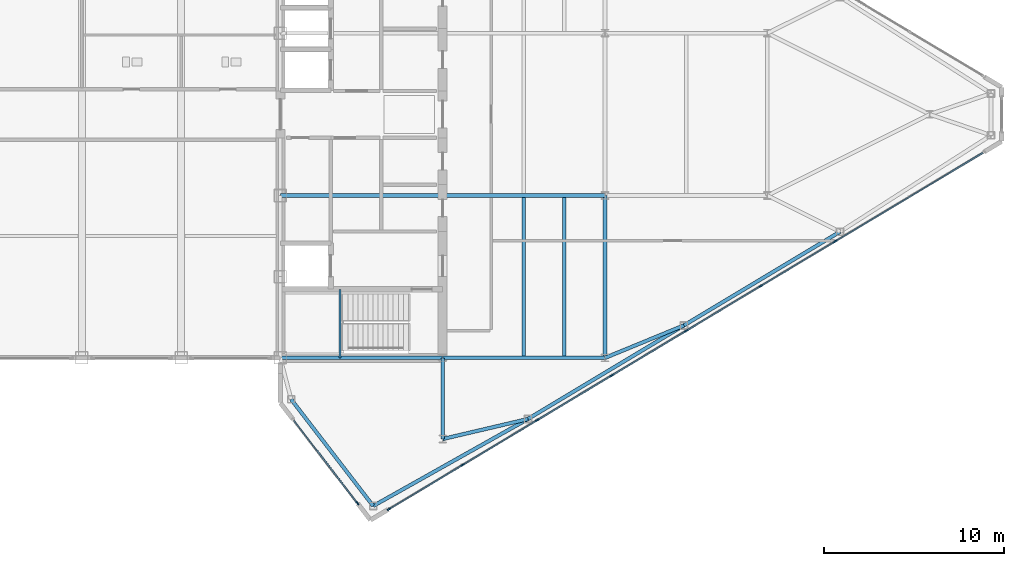
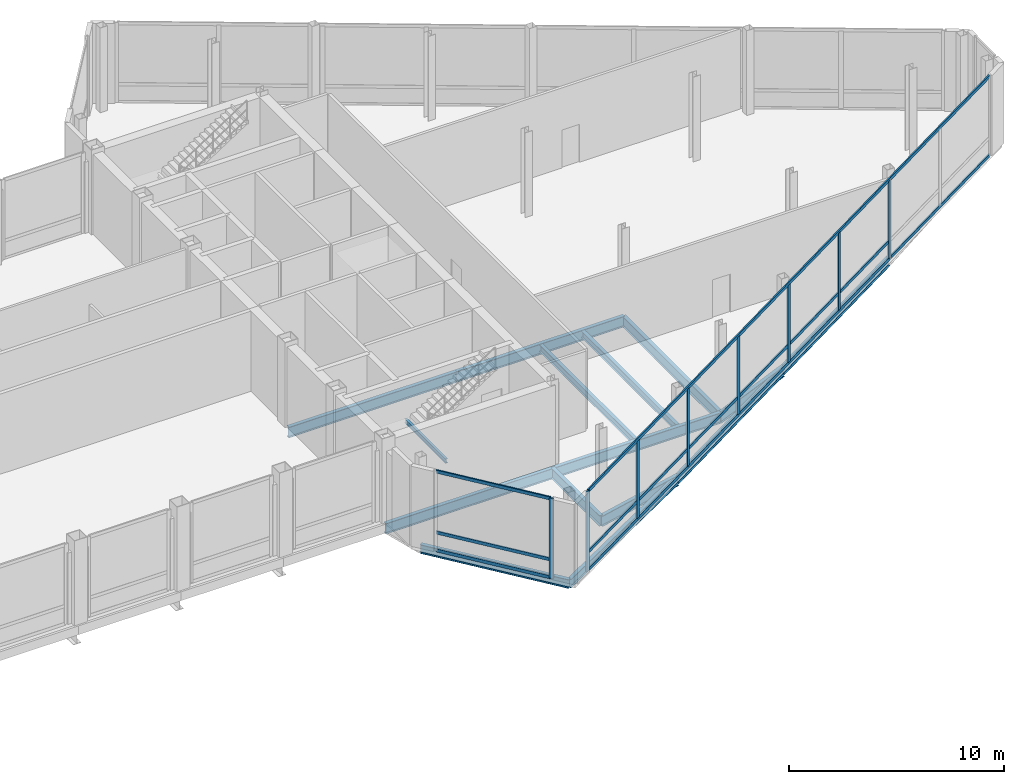
# One storey, part 14 of 29: 19 members, 15 beams, 2 elements without a shape of their own.
"""IFC4 building model written with IfcOpenShell, lengths in metres."""

from ifc_helpers import new_model, si_unit, direction, frame, origin, origin_2d, place, context, subcontext, project, spatial, rectangle, i_section, extrude, source, transform, mapped, material, layer, layer_set, material_profile, profile_set, type_object, type_shapes, element, aggregate, save


model = new_model("IFC4")

# Units and contexts
model_context = context("Model", 3, precision=1e-05, world=origin(), true_north=direction((0.0, 1.0)))
body_context = subcontext(model_context, "Body", "Model", "MODEL_VIEW")
ifc_project = project(units=[si_unit("LENGTHUNIT", "METRE"), si_unit("AREAUNIT", "SQUARE_METRE"), si_unit("VOLUMEUNIT", "CUBIC_METRE"), si_unit("PLANEANGLEUNIT", "RADIAN"), si_unit("MASSUNIT", "GRAM", prefix="KILO")], contexts=[model_context])

# Site, building, storey
site_placement = place(None, origin())
site = spatial("IfcSite", under=ifc_project, at=site_placement, CompositionType="ELEMENT")
building_placement = place(site_placement, origin())
building = spatial("IfcBuilding", under=site, at=building_placement, Name="Seokmaru Belvedere", CompositionType="ELEMENT")
storey_placement = place(building_placement, frame((0.0, 0.0, 269.39990234375)))
storey = spatial("IfcBuildingStorey", under=building, at=storey_placement, Name="L71", CompositionType="ELEMENT", Elevation=269.39990234375)

# Beams
ifc_material_1 = material(Name="Steel SM355 (355 MPa)", Category="steel")
ifc_material_profile_1 = material_profile(ifc_material_1, i_section(OverallWidth=0.199951171875, OverallDepth=0.60009765625, WebThickness=0.010986328125, FlangeThickness=0.01708984375, at=origin_2d()), Name="H-600x200x11x17")
ifc_profile_set_1 = profile_set([ifc_material_profile_1], Name="Steel SM355 (355 MPa)")
beam_type_1 = type_object("IfcBeamType", Name="Primary Floor Girder H-600", PredefinedType="BEAM", material=ifc_profile_set_1)
shared_shape_1 = source(origin(), body_context, "Body", "SweptSolid", [
    extrude(i_section(OverallWidth=0.199951171875, OverallDepth=0.60009765625, WebThickness=0.010986328125, FlangeThickness=0.01708984375, at=origin_2d()), origin(), (0.0, 0.0, 1.0), 9.0),
])
for number, where, z_axis, x_axis, name in (
    (1, (45.5, -13.5, -0.559814453125), (0.0, 1.0, 0.0), (-1.0, 0.0, 0.0), "L71 E Interior Grid Girder 1"),
    (2, (27.5, -13.5, -0.559814453125), (1.0, 0.0, 0.0), (0.0, 1.0, 0.0), "L71 E Core Tie Girder 1"),
    (3, (36.5, -13.5, -0.559814453125), (1.0, 0.0, 0.0), (0.0, 1.0, 0.0), "L71 E Wing Primary Girder 1"),
    (4, (27.5, -4.5, -0.559814453125), (1.0, 0.0, 0.0), (0.0, 1.0, 0.0), "L71 E Core Tie Girder 2"),
    (5, (36.5, -4.5, -0.559814453125), (1.0, 0.0, 0.0), (0.0, 1.0, 0.0), "L71 E Wing Primary Girder 2"),
):
    element("IfcBeam", number, at=place(storey_placement, frame(where, z_axis=z_axis, x_axis=x_axis)), inside=storey, type_object=beam_type_1, Name=name, PredefinedType="BEAM", context=body_context, shape_type="MappedRepresentation", body=[
        mapped(shared_shape_1, transform((0.0, 0.0, 0.0), scale=1.0)),
    ])
ifc_material_profile_2 = material_profile(ifc_material_1, i_section(OverallWidth=0.18505859375, OverallDepth=0.389892578125, WebThickness=0.008056640625, FlangeThickness=0.011962890625, at=origin_2d()), Name="H-390x185x8x12")
ifc_profile_set_2 = profile_set([ifc_material_profile_2], Name="Steel SM355 (355 MPa)")
beam_type_2 = type_object("IfcBeamType", Name="Secondary Floor Joist H-350", PredefinedType="JOIST", material=ifc_profile_set_2)
shared_shape_2 = source(origin(), body_context, "Body", "SweptSolid", [
    extrude(i_section(OverallWidth=0.18505859375, OverallDepth=0.389892578125, WebThickness=0.008056640625, FlangeThickness=0.011962890625, at=origin_2d()), origin(), (0.0, 0.0, 1.0), 8.7900390625),
])
type_shapes(beam_type_2, [shared_shape_2])
for number, where, z_axis, x_axis, name in (
    (6, (43.25, -13.39501953125, -0.454833984375), (0.0, 1.0, 0.0), (-1.0, 0.0, 0.0), "L71 E Wing Inner Secondary Joist 1"),
    (7, (41.0, -13.39501953125, -0.454833984375), (0.0, 1.0, 0.0), (-1.0, 0.0, 0.0), "L71 E Secondary Floor Joist 1"),
):
    element("IfcBeam", number, at=place(storey_placement, frame(where, z_axis=z_axis, x_axis=x_axis)), inside=storey, type_object=beam_type_2, Name=name, PredefinedType="JOIST", context=body_context, shape_type="MappedRepresentation", body=[
        mapped(shared_shape_2, transform((0.0, 0.0, 0.0), scale=1.0)),
    ])
shared_shape_3 = source(origin(), body_context, "Body", "SweptSolid", [
    extrude(i_section(OverallWidth=0.199951171875, OverallDepth=0.60009765625, WebThickness=0.010986328125, FlangeThickness=0.01708984375, at=origin_2d()), origin(), (0.0, 0.0, 1.0), 4.5),
])
beam_1_placement = place(storey_placement, frame((36.5, -18.0, -0.559814453125), z_axis=(0.0, 1.0, 0.0), x_axis=(-1.0, 0.0, 0.0)))
element("IfcBeam", 8, at=beam_1_placement, inside=storey, type_object=beam_type_1, Name="L71 E Core Shoulder Girder S", PredefinedType="BEAM", context=body_context, shape_type="MappedRepresentation", body=[
    mapped(shared_shape_3, transform((0.0, 0.0, 0.0), scale=1.0)),
])
ifc_material_profile_3 = material_profile(ifc_material_1, i_section(OverallWidth=0.199951171875, OverallDepth=0.5, WebThickness=0.010009765625, FlangeThickness=0.01611328125, at=origin_2d()), Name="H-500x200x10x16")
ifc_profile_set_3 = profile_set([ifc_material_profile_3], Name="Steel SM355 (355 MPa)")
beam_type_3 = type_object("IfcBeamType", Name="Perimeter Spandrel Beam H-500", PredefinedType="SPANDREL", material=ifc_profile_set_3)
shared_shape_4 = source(origin(), body_context, "Body", "SweptSolid", [
    extrude(i_section(OverallWidth=0.199951171875, OverallDepth=0.5, WebThickness=0.010009765625, FlangeThickness=0.01611328125, at=origin_2d()), origin(), (0.0, 0.0, 1.0), 9.842041015625),
])
beam_2_placement = place(storey_placement, frame((32.649658203125, -21.71044921875, -0.510009765625), z_axis=(0.871782151818, 0.489893743349, 0.0), x_axis=(-0.489893743349, 0.871782151818, 0.0)))
element("IfcBeam", 9, at=beam_2_placement, inside=storey, type_object=beam_type_3, Name="L71 E Faceted Flank Spandrel S-1", PredefinedType="SPANDREL", context=body_context, shape_type="MappedRepresentation", body=[
    mapped(shared_shape_4, transform((0.0, 0.0, 0.0), scale=1.0)),
])
shared_shape_5 = source(origin(), body_context, "Body", "SweptSolid", [
    extrude(i_section(OverallWidth=0.199951171875, OverallDepth=0.5, WebThickness=0.010009765625, FlangeThickness=0.01611328125, at=origin_2d()), origin(), (0.0, 0.0, 1.0), 10.087646484375),
])
for number, where, z_axis, x_axis, name in (
    (10, (41.229736328125, -16.888916015625, -0.510009765625), (0.857499332045, 0.514485078056, 0.0), (-0.514485078056, 0.857499332045, 0.0), "L71 E Faceted Flank Spandrel S-2"),
    (11, (49.8798828125, -11.698974609375, -0.510009765625), (0.857488654804, 0.514502873542, 0.0), (-0.514502873542, 0.857488654804, 0.0), "L71 E Faceted Flank Spandrel S-3"),
):
    element("IfcBeam", number, at=place(storey_placement, frame(where, z_axis=z_axis, x_axis=x_axis)), inside=storey, type_object=beam_type_3, Name=name, PredefinedType="SPANDREL", context=body_context, shape_type="MappedRepresentation", body=[
        mapped(shared_shape_5, transform((0.0, 0.0, 0.0), scale=1.0)),
    ])
shared_shape_6 = source(origin(), body_context, "Body", "SweptSolid", [
    extrude(i_section(OverallWidth=0.199951171875, OverallDepth=0.5, WebThickness=0.010009765625, FlangeThickness=0.01611328125, at=origin_2d()), origin(), (0.0, 0.0, 1.0), 7.4619140625),
])
type_shapes(beam_type_3, [shared_shape_4, shared_shape_5, shared_shape_6])
beam_3_placement = place(storey_placement, frame((32.649658203125, -21.71044921875, -0.510009765625), z_axis=(-0.609702854945, 0.792630070507, 0.0), x_axis=(-0.792630070507, -0.609702854945, 0.0)))
element("IfcBeam", 12, at=beam_3_placement, inside=storey, type_object=beam_type_3, Name="L71 E Shoulder Chamfer Spandrel S", PredefinedType="SPANDREL", context=body_context, shape_type="MappedRepresentation", body=[
    mapped(shared_shape_6, transform((0.0, 0.0, 0.0), scale=1.0)),
])
shared_shape_7 = source(origin(), body_context, "Body", "SweptSolid", [
    extrude(i_section(OverallWidth=0.199951171875, OverallDepth=0.60009765625, WebThickness=0.010986328125, FlangeThickness=0.01708984375, at=origin_2d()), origin(), (0.0, 0.0, 1.0), 4.8583984375),
])
beam_4_placement = place(storey_placement, frame((41.229736328125, -16.888916015625, -0.559814453125), z_axis=(-0.97349948295, -0.228689214211, 0.0), x_axis=(0.228689214211, -0.97349948295, 0.0)))
element("IfcBeam", 13, at=beam_4_placement, inside=storey, type_object=beam_type_1, Name="L71 E Flank Radial Floor Girder S-1", PredefinedType="BEAM", context=body_context, shape_type="MappedRepresentation", body=[
    mapped(shared_shape_7, transform((0.0, 0.0, 0.0), scale=1.0)),
])
shared_shape_8 = source(origin(), body_context, "Body", "SweptSolid", [
    extrude(i_section(OverallWidth=0.199951171875, OverallDepth=0.60009765625, WebThickness=0.010986328125, FlangeThickness=0.01708984375, at=origin_2d()), origin(), (0.0, 0.0, 1.0), 4.73583984375),
])
type_shapes(beam_type_1, [shared_shape_1, shared_shape_3, shared_shape_7, shared_shape_8])
beam_5_placement = place(storey_placement, frame((49.8798828125, -11.698974609375, -0.559814453125), z_axis=(-0.924860562953, -0.380306375301, 0.0), x_axis=(0.380306375301, -0.924860562953, 0.0)))
element("IfcBeam", 14, at=beam_5_placement, inside=storey, type_object=beam_type_1, Name="L71 E Flank Radial Floor Girder S-2", PredefinedType="BEAM", context=body_context, shape_type="MappedRepresentation", body=[
    mapped(shared_shape_8, transform((0.0, 0.0, 0.0), scale=1.0)),
])

# Curtain wall, member
ifc_material_2 = material(Name="Bronze Triple Insulating Glass", Category="glass")
ifc_layer = layer(ifc_material_2, 0.219970703125)
ifc_layer_set = layer_set([ifc_layer], Name="Bronze Triple Insulating Glass")
curtain_wall_type = type_object("IfcCurtainWallType", Name="Sky-Gate Bridge Panorama Curtain Wall System CW-6", PredefinedType="NOTDEFINED", material=ifc_layer_set)
curtain_wall_1_placement = place(storey_placement, origin())
curtain_wall_1 = element("IfcCurtainWall", 15, at=curtain_wall_1_placement, inside=storey, type_object=curtain_wall_type, Name="L71 Curtain Wall EF1", PredefinedType="NOTDEFINED")
ifc_material_3 = material(Name="Anodised Bronze Aluminium", Category="aluminium")
ifc_material_profile_4 = material_profile(ifc_material_3, rectangle(XDim=0.080078125, YDim=0.219970703125, at=origin_2d()), Name="CW-M-80x220")
ifc_profile_set_4 = profile_set([ifc_material_profile_4], Name="Anodised Bronze Aluminium")
member_type_1 = type_object("IfcMemberType", Name="Bronze Unitised Mullion 80x220", PredefinedType="MULLION", material=ifc_profile_set_4)
shared_shape_9 = source(origin(), body_context, "Body", "SweptSolid", [
    extrude(rectangle(XDim=0.080078125, YDim=0.219970703125, at=origin_2d()), origin(), (0.0, 0.0, 1.0), 4.5400390625),
])
member_1_placement = place(storey_placement, frame((33.5205078125, -21.8876953125, 0.0), z_axis=(0.0, 0.0, 1.0), x_axis=(-0.514494909364, 0.85749343335, 0.0)))
member_1 = element("IfcMember", 16, at=member_1_placement, type_object=member_type_1, Name="CW:L71:EF1 Mullion 1", PredefinedType="MULLION", context=body_context, shape_type="MappedRepresentation", body=[
    mapped(shared_shape_9, transform((0.0, 0.0, 0.0), scale=1.0)),
])

# Curtain wall, members
curtain_wall_2_placement = place(storey_placement, origin())
curtain_wall_2 = element("IfcCurtainWall", 17, at=curtain_wall_2_placement, inside=storey, type_object=curtain_wall_type, Name="L71 Curtain Wall EF6", PredefinedType="NOTDEFINED")
member_2_placement = place(storey_placement, frame((31.7744140625, -21.556884765625, 0.0), z_axis=(0.0, 0.0, 1.0), x_axis=(0.792631353244, 0.609701187349, 0.0)))
member_2 = element("IfcMember", 18, at=member_2_placement, type_object=member_type_1, Name="CW:L71:EF6 Mullion 2", PredefinedType="MULLION", context=body_context, shape_type="MappedRepresentation", body=[
    mapped(shared_shape_9, transform((0.0, 0.0, 0.0), scale=1.0)),
])
ifc_material_profile_5 = material_profile(ifc_material_3, rectangle(XDim=0.074951171875, YDim=0.179931640625, at=origin_2d()), Name="CW-T-75x180")
ifc_profile_set_5 = profile_set([ifc_material_profile_5], Name="Anodised Bronze Aluminium")
member_type_2 = type_object("IfcMemberType", Name="Bronze Unitised Transom 75x180", PredefinedType="USERDEFINED", material=ifc_profile_set_5)
shared_shape_10 = source(origin(), body_context, "Body", "SweptSolid", [
    extrude(rectangle(XDim=0.074951171875, YDim=0.179931640625, at=origin_2d()), origin(), (0.0, 0.0, 1.0), 5.74072265625),
])
member_3_placement = place(storey_placement, frame((28.25, -16.974853515625, 0.03759765625), z_axis=(0.609686097287, -0.792642960465, 0.0), x_axis=(0.792642960465, 0.609686097287, 0.0)))
member_3 = element("IfcMember", 19, at=member_3_placement, type_object=member_type_2, Name="CW:L71:EF6 Continuous Transom 1", ObjectType="TRANSOM", PredefinedType="USERDEFINED", context=body_context, shape_type="MappedRepresentation", body=[
    mapped(shared_shape_10, transform((0.0, 0.0, 0.0), scale=1.0)),
])
member_4_placement = place(storey_placement, frame((28.25, -16.974853515625, 4.502685546875), z_axis=(0.609686097287, -0.792642960465, 0.0), x_axis=(0.792642960465, 0.609686097287, 0.0)))
member_4 = element("IfcMember", 20, at=member_4_placement, type_object=member_type_2, Name="CW:L71:EF6 Continuous Transom 2", ObjectType="TRANSOM", PredefinedType="USERDEFINED", context=body_context, shape_type="MappedRepresentation", body=[
    mapped(shared_shape_10, transform((0.0, 0.0, 0.0), scale=1.0)),
])
member_5_placement = place(storey_placement, frame((28.25, -16.974853515625, 1.050048828125), z_axis=(0.609686097287, -0.792642960465, 0.0), x_axis=(0.792642960465, 0.609686097287, 0.0)))
member_5 = element("IfcMember", 21, at=member_5_placement, type_object=member_type_2, Name="CW:L71:EF6 Spandrel Transom 1", ObjectType="TRANSOM", PredefinedType="USERDEFINED", context=body_context, shape_type="MappedRepresentation", body=[
    mapped(shared_shape_10, transform((0.0, 0.0, 0.0), scale=1.0)),
])
aggregate(curtain_wall_2, [member_2, member_3, member_4, member_5])

# Member
shared_shape_11 = source(origin(), body_context, "Body", "SweptSolid", [
    extrude(rectangle(XDim=0.080078125, YDim=0.219970703125, at=origin_2d()), origin(), (0.0, 0.0, 1.0), 4.389892578125),
])
type_shapes(member_type_1, [shared_shape_9, shared_shape_11])
member_6_placement = place(storey_placement, frame((37.614501953125, -19.43115234375, 0.0751953125), z_axis=(0.0, 0.0, 1.0), x_axis=(-0.514494909364, 0.85749343335, 0.0)))
member_6 = element("IfcMember", 22, at=member_6_placement, type_object=member_type_1, Name="CW:L71:EF1 Mullion 2", PredefinedType="MULLION", context=body_context, shape_type="MappedRepresentation", body=[
    mapped(shared_shape_11, transform((0.0, 0.0, 0.0), scale=1.0)),
])

member_7_placement = place(storey_placement, frame((41.7431640625, -16.9541015625, 0.0751953125), z_axis=(0.0, 0.0, 1.0), x_axis=(-0.514494909364, 0.85749343335, 0.0)))
member_7 = element("IfcMember", 23, at=member_7_placement, type_object=member_type_1, Name="CW:L71:EF1 Mullion 3", PredefinedType="MULLION", context=body_context, shape_type="MappedRepresentation", body=[
    mapped(shared_shape_11, transform((0.0, 0.0, 0.0), scale=1.0)),
])

member_8_placement = place(storey_placement, frame((45.87158203125, -14.47705078125, 0.0751953125), z_axis=(0.0, 0.0, 1.0), x_axis=(-0.514494909364, 0.85749343335, 0.0)))
member_8 = element("IfcMember", 24, at=member_8_placement, type_object=member_type_1, Name="CW:L71:EF1 Mullion 4", PredefinedType="MULLION", context=body_context, shape_type="MappedRepresentation", body=[
    mapped(shared_shape_11, transform((0.0, 0.0, 0.0), scale=1.0)),
])

member_9_placement = place(storey_placement, frame((50.0, -12.0, 0.0751953125), z_axis=(0.0, 0.0, 1.0), x_axis=(-0.514494909364, 0.85749343335, 0.0)))
member_9 = element("IfcMember", 25, at=member_9_placement, type_object=member_type_1, Name="CW:L71:EF1 Mullion 5", PredefinedType="MULLION", context=body_context, shape_type="MappedRepresentation", body=[
    mapped(shared_shape_11, transform((0.0, 0.0, 0.0), scale=1.0)),
])

member_10_placement = place(storey_placement, frame((54.12841796875, -9.52294921875, 0.0751953125), z_axis=(0.0, 0.0, 1.0), x_axis=(-0.514494909364, 0.85749343335, 0.0)))
member_10 = element("IfcMember", 26, at=member_10_placement, type_object=member_type_1, Name="CW:L71:EF1 Mullion 6", PredefinedType="MULLION", context=body_context, shape_type="MappedRepresentation", body=[
    mapped(shared_shape_11, transform((0.0, 0.0, 0.0), scale=1.0)),
])

member_11_placement = place(storey_placement, frame((58.257080078125, -7.0458984375, 0.0751953125), z_axis=(0.0, 0.0, 1.0), x_axis=(-0.514494909364, 0.85749343335, 0.0)))
member_11 = element("IfcMember", 27, at=member_11_placement, type_object=member_type_1, Name="CW:L71:EF1 Mullion 7", PredefinedType="MULLION", context=body_context, shape_type="MappedRepresentation", body=[
    mapped(shared_shape_11, transform((0.0, 0.0, 0.0), scale=1.0)),
])

shared_shape_12 = source(origin(), body_context, "Body", "SweptSolid", [
    extrude(rectangle(XDim=0.074951171875, YDim=0.179931640625, at=origin_2d()), origin(), (0.0, 0.0, 1.0), 38.356689453125),
])
member_12_placement = place(storey_placement, frame((33.5546875, -21.8671875, 0.03759765625), z_axis=(0.857492925713, 0.514495755428, 0.0), x_axis=(-0.514495755428, 0.857492925713, 0.0)))
member_12 = element("IfcMember", 28, at=member_12_placement, type_object=member_type_2, Name="CW:L71:EF1 Continuous Transom 1", ObjectType="TRANSOM", PredefinedType="USERDEFINED", context=body_context, shape_type="MappedRepresentation", body=[
    mapped(shared_shape_12, transform((0.0, 0.0, 0.0), scale=1.0)),
])

member_13_placement = place(storey_placement, frame((33.5546875, -21.8671875, 4.502685546875), z_axis=(0.857492925713, 0.514495755428, 0.0), x_axis=(-0.514495755428, 0.857492925713, 0.0)))
member_13 = element("IfcMember", 29, at=member_13_placement, type_object=member_type_2, Name="CW:L71:EF1 Continuous Transom 2", ObjectType="TRANSOM", PredefinedType="USERDEFINED", context=body_context, shape_type="MappedRepresentation", body=[
    mapped(shared_shape_12, transform((0.0, 0.0, 0.0), scale=1.0)),
])

shared_shape_13 = source(origin(), body_context, "Body", "SweptSolid", [
    extrude(rectangle(XDim=0.074951171875, YDim=0.179931640625, at=origin_2d()), origin(), (0.0, 0.0, 1.0), 4.694580078125),
])
member_14_placement = place(storey_placement, frame((33.5546875, -21.8671875, 1.050048828125), z_axis=(0.85750210284, 0.514480459906, 0.0), x_axis=(-0.514480459906, 0.85750210284, 0.0)))
member_14 = element("IfcMember", 30, at=member_14_placement, type_object=member_type_2, Name="CW:L71:EF1 Spandrel Transom 1", ObjectType="TRANSOM", PredefinedType="USERDEFINED", context=body_context, shape_type="MappedRepresentation", body=[
    mapped(shared_shape_13, transform((0.0, 0.0, 0.0), scale=1.0)),
])

shared_shape_14 = source(origin(), body_context, "Body", "SweptSolid", [
    extrude(rectangle(XDim=0.074951171875, YDim=0.179931640625, at=origin_2d()), origin(), (0.0, 0.0, 1.0), 4.734619140625),
])
member_15_placement = place(storey_placement, frame((37.64892578125, -19.41064453125, 1.050048828125), z_axis=(0.857479275774, 0.514518504641, 0.0), x_axis=(-0.514518504641, 0.857479275774, 0.0)))
member_15 = element("IfcMember", 31, at=member_15_placement, type_object=member_type_2, Name="CW:L71:EF1 Spandrel Transom 2", ObjectType="TRANSOM", PredefinedType="USERDEFINED", context=body_context, shape_type="MappedRepresentation", body=[
    mapped(shared_shape_14, transform((0.0, 0.0, 0.0), scale=1.0)),
])

shared_shape_15 = source(origin(), body_context, "Body", "SweptSolid", [
    extrude(rectangle(XDim=0.074951171875, YDim=0.179931640625, at=origin_2d()), origin(), (0.0, 0.0, 1.0), 4.734375),
])
member_16_placement = place(storey_placement, frame((41.77734375, -16.93359375, 1.050048828125), z_axis=(0.857502025578, 0.514480588682, 0.0), x_axis=(-0.514480588682, 0.857502025578, 0.0)))
member_16 = element("IfcMember", 32, at=member_16_placement, type_object=member_type_2, Name="CW:L71:EF1 Spandrel Transom 3", ObjectType="TRANSOM", PredefinedType="USERDEFINED", context=body_context, shape_type="MappedRepresentation", body=[
    mapped(shared_shape_15, transform((0.0, 0.0, 0.0), scale=1.0)),
])

member_17_placement = place(storey_placement, frame((54.162841796875, -9.502197265625, 1.050048828125), z_axis=(0.857502025578, 0.514480588682, 0.0), x_axis=(-0.514480588682, 0.857502025578, 0.0)))
member_17 = element("IfcMember", 33, at=member_17_placement, type_object=member_type_2, Name="CW:L71:EF1 Spandrel Transom 6", ObjectType="TRANSOM", PredefinedType="USERDEFINED", context=body_context, shape_type="MappedRepresentation", body=[
    mapped(shared_shape_15, transform((0.0, 0.0, 0.0), scale=1.0)),
])

shared_shape_16 = source(origin(), body_context, "Body", "SweptSolid", [
    extrude(rectangle(XDim=0.074951171875, YDim=0.179931640625, at=origin_2d()), origin(), (0.0, 0.0, 1.0), 4.73486328125),
])
type_shapes(member_type_2, [shared_shape_10, shared_shape_12, shared_shape_13, shared_shape_14, shared_shape_15, shared_shape_16])
member_18_placement = place(storey_placement, frame((45.90576171875, -14.45654296875, 1.050048828125), z_axis=(0.857492925713, 0.514495755428, 0.0), x_axis=(-0.514495755428, 0.857492925713, 0.0)))
member_18 = element("IfcMember", 34, at=member_18_placement, type_object=member_type_2, Name="CW:L71:EF1 Spandrel Transom 4", ObjectType="TRANSOM", PredefinedType="USERDEFINED", context=body_context, shape_type="MappedRepresentation", body=[
    mapped(shared_shape_16, transform((0.0, 0.0, 0.0), scale=1.0)),
])

member_19_placement = place(storey_placement, frame((50.0341796875, -11.9794921875, 1.050048828125), z_axis=(0.857492925713, 0.514495755428, 0.0), x_axis=(-0.514495755428, 0.857492925713, 0.0)))
member_19 = element("IfcMember", 35, at=member_19_placement, type_object=member_type_2, Name="CW:L71:EF1 Spandrel Transom 5", ObjectType="TRANSOM", PredefinedType="USERDEFINED", context=body_context, shape_type="MappedRepresentation", body=[
    mapped(shared_shape_16, transform((0.0, 0.0, 0.0), scale=1.0)),
])

aggregate(curtain_wall_1, [member_1, member_6, member_7, member_8, member_9, member_10, member_11, member_12, member_13, member_14, member_15, member_16, member_18, member_19, member_17])

# Beam
ifc_material_profile_6 = material_profile(ifc_material_1, i_section(OverallWidth=0.125, OverallDepth=0.25, WebThickness=0.006103515625, FlangeThickness=0.009033203125, at=origin_2d()), Name="H-250x125x6x9")
ifc_profile_set_6 = profile_set([ifc_material_profile_6], Name="Steel SM355 (355 MPa)")
beam_type_4 = type_object("IfcBeamType", Name="Stair Mid-Landing Support Beam H-250", PredefinedType="JOIST", material=ifc_profile_set_6)
shared_shape_17 = source(origin(), body_context, "Body", "SweptSolid", [
    extrude(i_section(OverallWidth=0.125, OverallDepth=0.25, WebThickness=0.006103515625, FlangeThickness=0.009033203125, at=origin_2d()), origin(), (0.0, 0.0, 1.0), 3.800048828125),
])
type_shapes(beam_type_4, [shared_shape_17])
beam_6_placement = place(storey_placement, frame((30.81005859375, -13.5, 2.0751953125), z_axis=(0.0, 1.0, 0.0), x_axis=(-1.0, 0.0, 0.0)))
element("IfcBeam", 36, at=beam_6_placement, inside=storey, type_object=beam_type_4, Name="L71 Stair ST-E1 Mid-Landing Support Beam 1", PredefinedType="JOIST", context=body_context, shape_type="MappedRepresentation", body=[
    mapped(shared_shape_17, transform((0.0, 0.0, 0.0), scale=1.0)),
])

save(model, "model.ifc")
